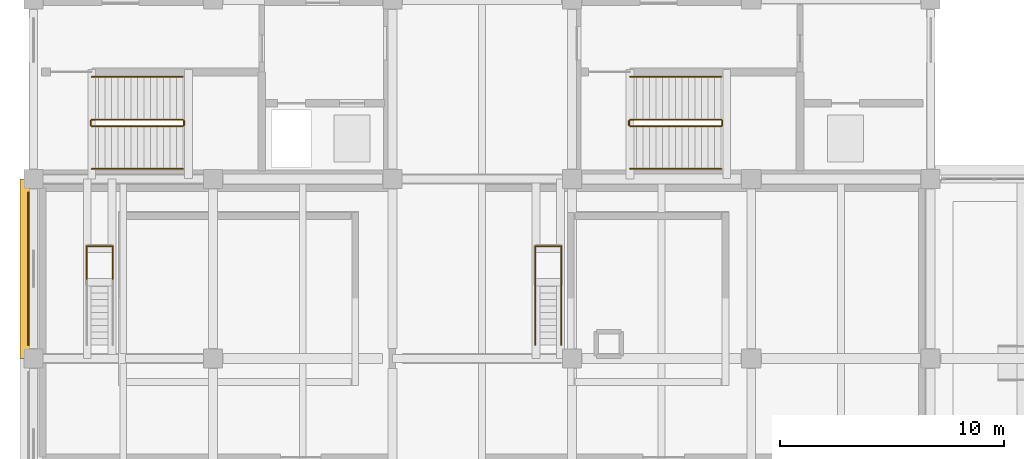
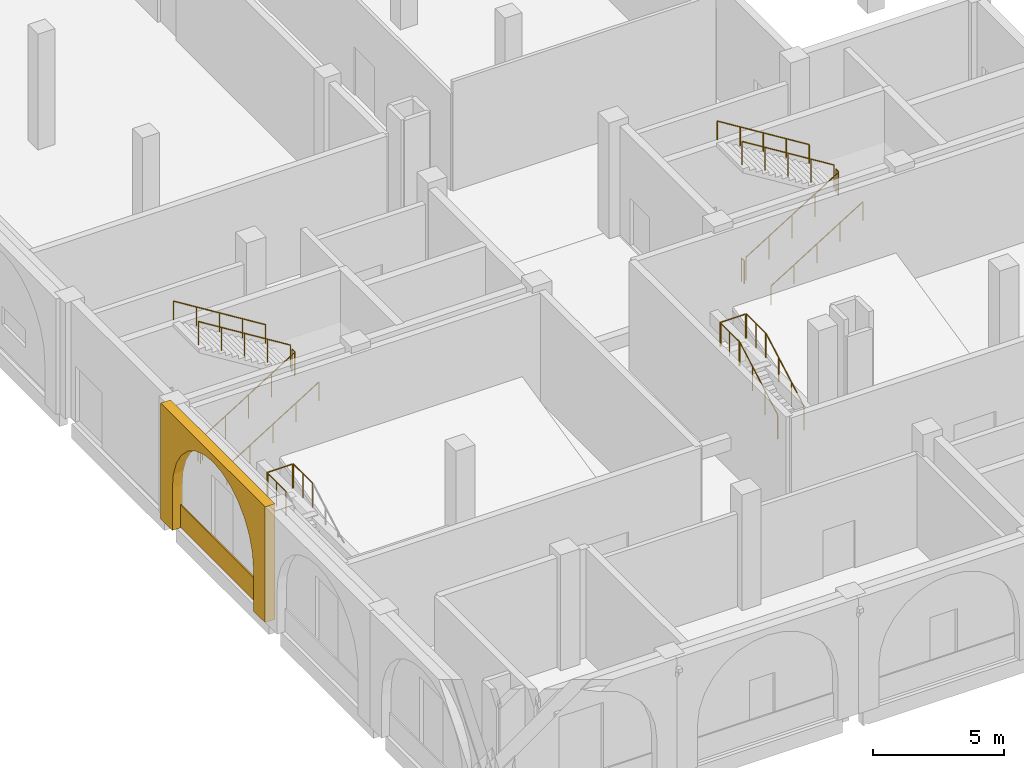
# One storey, part 31 of 40: 20 railings, 2 coverings.
"""IFC4 building model written with IfcOpenShell, lengths in metres."""

from ifc_helpers import new_model, si_unit, direction, frame, origin, origin_2d, place, context, subcontext, project, spatial, polyline, rectangle, circle, outline, extrude, material, layer, layer_set, type_object, element, save


model = new_model("IFC4")

# Units and contexts
model_context = context("Model", 3, precision=1e-05, world=origin(), true_north=direction((0.0, 1.0)))
body_context = subcontext(model_context, "Body", "Model", "MODEL_VIEW")
ifc_project = project(units=[si_unit("LENGTHUNIT", "METRE"), si_unit("AREAUNIT", "SQUARE_METRE"), si_unit("VOLUMEUNIT", "CUBIC_METRE"), si_unit("PLANEANGLEUNIT", "RADIAN"), si_unit("MASSUNIT", "GRAM", prefix="KILO")], contexts=[model_context])

# Site, building, storey
site_placement = place(None, origin())
site = spatial("IfcSite", under=ifc_project, at=site_placement, CompositionType="ELEMENT")
building_placement = place(site_placement, origin())
building = spatial("IfcBuilding", under=site, at=building_placement, Name="Qorikala Patio Media Centre", CompositionType="ELEMENT")
storey_placement = place(building_placement, origin())
storey = spatial("IfcBuildingStorey", under=building, at=storey_placement, Name="L00", CompositionType="ELEMENT", Elevation=0.0)

# Coverings
ifc_material_1 = material(Name="Comanche Granite Ashlar Stone", Category="masonry")
ifc_layer = layer(ifc_material_1, 0.06005859375)
ifc_layer_set = layer_set([ifc_layer], Name="Comanche Granite Ashlar Stone")
covering_type = type_object("IfcCoveringType", Name="COV-CLAD-STONE", PredefinedType="CLADDING", material=ifc_layer_set)
covering_1_placement = place(storey_placement, frame((2.780029296875, 23.0, 0.02490234375), z_axis=(0.0, 0.0, 1.0), x_axis=(0.0, 1.0, 0.0)))
element("IfcCovering", 1, at=covering_1_placement, inside=storey, type_object=covering_type, Name="L00 Comanche Granite Plinth Cladding 006", PredefinedType="CLADDING", context=body_context, shape_type="SweptSolid", body=[
    extrude(rectangle(XDim=6.800048828125, YDim=0.06005859375, at=origin_2d()), origin(), (0.0, 0.0, 1.0), 1.050048828125),
])
covering_2_placement = place(storey_placement, frame((2.6201171875, 19.0, 0.0), z_axis=(0.0, 0.0, 1.0), x_axis=(0.0, 1.0, 0.0)))
element("IfcCovering", 2, at=covering_2_placement, inside=storey, type_object=covering_type, Name="Spanish Colonial Stone Arched Arcade PORT-W3", PredefinedType="CLADDING", context=body_context, shape_type="SweptSolid", body=[
    extrude(outline(polyline([(0.0, 0.0), (0.89990234375, 0.0), (0.89990234375, 1.97998046875), (0.977783203125, 2.669677734375), (1.20703125, 3.324951171875), (1.576416015625, 3.91259765625), (2.067138671875, 4.403564453125), (2.655029296875, 4.77294921875), (3.310302734375, 5.002197265625), (4.0, 5.079833984375), (4.689697265625, 5.002197265625), (5.344970703125, 4.77294921875), (5.932861328125, 4.403564453125), (6.423583984375, 3.91259765625), (6.79296875, 3.324951171875), (7.022216796875, 2.669677734375), (7.10009765625, 1.97998046875), (7.10009765625, 0.0), (8.0, 0.0), (8.0, 5.39990234375), (0.0, 5.39990234375), (0.0, 0.0)])), frame((0.0, 0.219970703125, 0.0), z_axis=(0.0, -1.0, 0.0), x_axis=(1.0, 0.0, 0.0)), (0.0, 0.0, 1.0), 0.43994140625),
])

# Railings
ifc_material_2 = material(Name="Wrought Bronze and Steel S355", Category="steel")
railing_type_1 = type_object("IfcRailingType", Name="RL-GUARD-110", PredefinedType="GUARDRAIL", material=ifc_material_2)
railing_1_placement = place(storey_placement, frame((5.60009765625, 29.35009765625, 0.179931640625)))
element("IfcRailing", 3, at=railing_1_placement, inside=storey, type_object=railing_type_1, Name="L00 ST-2 stair guard 1", PredefinedType="GUARDRAIL", context=body_context, shape_type="SweptSolid", body=[
    extrude(circle(Radius=0.02392578125, at=origin_2d()), frame((0.0, 0.0, 1.076171875), z_axis=(0.849627535208, 0.0, 0.527383211162), x_axis=(0.0, 1.0, 0.0)), (0.0, 0.0, 1.0), 4.7783203125),
    extrude(circle(Radius=0.02099609375, at=origin_2d()), origin(), (0.0, 0.0, 1.0), 1.052001953125),
    extrude(circle(Radius=0.02099609375, at=origin_2d()), frame((1.014892578125, 0.0, 0.6298828125)), (0.0, 0.0, 1.0), 1.052001953125),
    extrude(circle(Radius=0.02099609375, at=origin_2d()), frame((2.02978515625, 0.0, 1.260009765625)), (0.0, 0.0, 1.0), 1.052001953125),
    extrude(circle(Radius=0.02099609375, at=origin_2d()), frame((3.044921875, 0.0, 1.89013671875)), (0.0, 0.0, 1.0), 1.052001953125),
    extrude(circle(Radius=0.02099609375, at=origin_2d()), frame((4.059814453125, 0.0, 2.52001953125)), (0.0, 0.0, 1.0), 1.052001953125),
])
railing_2_placement = place(storey_placement, frame((9.7099609375, 29.39990234375, 2.699951171875)))
element("IfcRailing", 4, at=railing_2_placement, inside=storey, type_object=railing_type_1, Name="L00 ST-2 stair guard 2", PredefinedType="GUARDRAIL", context=body_context, shape_type="SweptSolid", body=[
    extrude(circle(Radius=0.02392578125, at=origin_2d()), frame((0.0, 0.0, 1.076171875), z_axis=(0.0, 1.0, 0.0), x_axis=(-1.0, 0.0, 0.0)), (0.0, 0.0, 1.0), 0.2001953125),
    extrude(circle(Radius=0.02099609375, at=origin_2d()), origin(), (0.0, 0.0, 1.0), 1.052001953125),
    extrude(circle(Radius=0.02099609375, at=origin_2d()), frame((0.0, 0.2001953125, 0.0)), (0.0, 0.0, 1.0), 1.052001953125),
])
railing_3_placement = place(storey_placement, frame((9.659912109375, 29.64990234375, 2.8798828125)))
element("IfcRailing", 5, at=railing_3_placement, inside=storey, type_object=railing_type_1, Name="L00 ST-2 stair guard 3", PredefinedType="GUARDRAIL", context=body_context, shape_type="SweptSolid", body=[
    extrude(circle(Radius=0.02392578125, at=origin_2d()), frame((0.0, 0.0, 1.076171875), z_axis=(-0.849627535208, 0.0, 0.527383211162), x_axis=(0.0, -1.0, 0.0)), (0.0, 0.0, 1.0), 4.7783203125),
    extrude(circle(Radius=0.02099609375, at=origin_2d()), origin(), (0.0, 0.0, 1.0), 1.052001953125),
    extrude(circle(Radius=0.02099609375, at=origin_2d()), frame((-1.014892578125, 0.0, 0.6298828125)), (0.0, 0.0, 1.0), 1.052001953125),
    extrude(circle(Radius=0.02099609375, at=origin_2d()), frame((-2.02978515625, 0.0, 1.260009765625)), (0.0, 0.0, 1.0), 1.052001953125),
    extrude(circle(Radius=0.02099609375, at=origin_2d()), frame((-3.044921875, 0.0, 1.89013671875)), (0.0, 0.0, 1.0), 1.052001953125),
    extrude(circle(Radius=0.02099609375, at=origin_2d()), frame((-4.059814453125, 0.0, 2.52001953125)), (0.0, 0.0, 1.0), 1.052001953125),
])
railing_4_placement = place(storey_placement, frame((5.550048828125, 29.39990234375, 0.0)))
element("IfcRailing", 6, at=railing_4_placement, inside=storey, type_object=railing_type_1, Name="L00 ST-2 stair guard 4", PredefinedType="GUARDRAIL", context=body_context, shape_type="SweptSolid", body=[
    extrude(circle(Radius=0.02392578125, at=origin_2d()), frame((0.0, 0.0, 1.076171875), z_axis=(0.0, 1.0, 0.0), x_axis=(-1.0, 0.0, 0.0)), (0.0, 0.0, 1.0), 0.2001953125),
    extrude(circle(Radius=0.02099609375, at=origin_2d()), origin(), (0.0, 0.0, 1.0), 1.052001953125),
    extrude(circle(Radius=0.02099609375, at=origin_2d()), frame((0.0, 0.2001953125, 0.0)), (0.0, 0.0, 1.0), 1.052001953125),
])
railing_5_placement = place(storey_placement, frame((29.60009765625, 29.35009765625, 0.179931640625)))
element("IfcRailing", 7, at=railing_5_placement, inside=storey, type_object=railing_type_1, Name="L00 ST-5 stair guard 1", PredefinedType="GUARDRAIL", context=body_context, shape_type="SweptSolid", body=[
    extrude(circle(Radius=0.02392578125, at=origin_2d()), frame((0.0, 0.0, 1.076171875), z_axis=(0.849627535208, 0.0, 0.527383211162), x_axis=(0.0, 1.0, 0.0)), (0.0, 0.0, 1.0), 4.7783203125),
    extrude(circle(Radius=0.02099609375, at=origin_2d()), origin(), (0.0, 0.0, 1.0), 1.052001953125),
    extrude(circle(Radius=0.02099609375, at=origin_2d()), frame((1.014892578125, 0.0, 0.6298828125)), (0.0, 0.0, 1.0), 1.052001953125),
    extrude(circle(Radius=0.02099609375, at=origin_2d()), frame((2.02978515625, 0.0, 1.260009765625)), (0.0, 0.0, 1.0), 1.052001953125),
    extrude(circle(Radius=0.02099609375, at=origin_2d()), frame((3.044921875, 0.0, 1.89013671875)), (0.0, 0.0, 1.0), 1.052001953125),
    extrude(circle(Radius=0.02099609375, at=origin_2d()), frame((4.059814453125, 0.0, 2.52001953125)), (0.0, 0.0, 1.0), 1.052001953125),
])
railing_6_placement = place(storey_placement, frame((33.7099609375, 29.39990234375, 2.699951171875)))
element("IfcRailing", 8, at=railing_6_placement, inside=storey, type_object=railing_type_1, Name="L00 ST-5 stair guard 2", PredefinedType="GUARDRAIL", context=body_context, shape_type="SweptSolid", body=[
    extrude(circle(Radius=0.02392578125, at=origin_2d()), frame((0.0, 0.0, 1.076171875), z_axis=(0.0, 1.0, 0.0), x_axis=(-1.0, 0.0, 0.0)), (0.0, 0.0, 1.0), 0.2001953125),
    extrude(circle(Radius=0.02099609375, at=origin_2d()), origin(), (0.0, 0.0, 1.0), 1.052001953125),
    extrude(circle(Radius=0.02099609375, at=origin_2d()), frame((0.0, 0.2001953125, 0.0)), (0.0, 0.0, 1.0), 1.052001953125),
])
railing_7_placement = place(storey_placement, frame((33.659912109375, 29.64990234375, 2.8798828125)))
element("IfcRailing", 9, at=railing_7_placement, inside=storey, type_object=railing_type_1, Name="L00 ST-5 stair guard 3", PredefinedType="GUARDRAIL", context=body_context, shape_type="SweptSolid", body=[
    extrude(circle(Radius=0.02392578125, at=origin_2d()), frame((0.0, 0.0, 1.076171875), z_axis=(-0.849627535208, 0.0, 0.527383211162), x_axis=(0.0, -1.0, 0.0)), (0.0, 0.0, 1.0), 4.7783203125),
    extrude(circle(Radius=0.02099609375, at=origin_2d()), origin(), (0.0, 0.0, 1.0), 1.052001953125),
    extrude(circle(Radius=0.02099609375, at=origin_2d()), frame((-1.014892578125, 0.0, 0.6298828125)), (0.0, 0.0, 1.0), 1.052001953125),
    extrude(circle(Radius=0.02099609375, at=origin_2d()), frame((-2.02978515625, 0.0, 1.260009765625)), (0.0, 0.0, 1.0), 1.052001953125),
    extrude(circle(Radius=0.02099609375, at=origin_2d()), frame((-3.044921875, 0.0, 1.89013671875)), (0.0, 0.0, 1.0), 1.052001953125),
    extrude(circle(Radius=0.02099609375, at=origin_2d()), frame((-4.059814453125, 0.0, 2.52001953125)), (0.0, 0.0, 1.0), 1.052001953125),
])
railing_8_placement = place(storey_placement, frame((29.550048828125, 29.39990234375, 0.0)))
element("IfcRailing", 10, at=railing_8_placement, inside=storey, type_object=railing_type_1, Name="L00 ST-5 stair guard 4", PredefinedType="GUARDRAIL", context=body_context, shape_type="SweptSolid", body=[
    extrude(circle(Radius=0.02392578125, at=origin_2d()), frame((0.0, 0.0, 1.076171875), z_axis=(0.0, 1.0, 0.0), x_axis=(-1.0, 0.0, 0.0)), (0.0, 0.0, 1.0), 0.2001953125),
    extrude(circle(Radius=0.02099609375, at=origin_2d()), origin(), (0.0, 0.0, 1.0), 1.052001953125),
    extrude(circle(Radius=0.02099609375, at=origin_2d()), frame((0.0, 0.2001953125, 0.0)), (0.0, 0.0, 1.0), 1.052001953125),
])
ifc_material_3 = material(Name="Brushed Bronze Tubular Steel S355", Category="steel")
railing_type_2 = type_object("IfcRailingType", Name="RL-HAND-090", PredefinedType="HANDRAIL", material=ifc_material_3)
railing_9_placement = place(storey_placement, frame((5.60009765625, 27.449951171875, 0.179931640625)))
element("IfcRailing", 11, at=railing_9_placement, inside=storey, type_object=railing_type_2, Name="L00 ST-2 stair handrail 1", PredefinedType="HANDRAIL", context=body_context, shape_type="SweptSolid", body=[
    extrude(circle(Radius=0.02392578125, at=origin_2d()), frame((0.0, 0.0, 0.8759765625), z_axis=(0.849627535208, 0.0, 0.527383211162), x_axis=(0.0, 1.0, 0.0)), (0.0, 0.0, 1.0), 4.7783203125),
    extrude(circle(Radius=0.02099609375, at=origin_2d()), origin(), (0.0, 0.0, 1.0), 0.851806640625),
    extrude(circle(Radius=0.02099609375, at=origin_2d()), frame((1.014892578125, 0.0, 0.6298828125)), (0.0, 0.0, 1.0), 0.851806640625),
    extrude(circle(Radius=0.02099609375, at=origin_2d()), frame((2.02978515625, 0.0, 1.260009765625)), (0.0, 0.0, 1.0), 0.851806640625),
    extrude(circle(Radius=0.02099609375, at=origin_2d()), frame((3.044921875, 0.0, 1.89013671875)), (0.0, 0.0, 1.0), 0.851806640625),
    extrude(circle(Radius=0.02099609375, at=origin_2d()), frame((4.059814453125, 0.0, 2.52001953125)), (0.0, 0.0, 1.0), 0.851806640625),
])
railing_10_placement = place(storey_placement, frame((9.659912109375, 31.550048828125, 2.8798828125)))
element("IfcRailing", 12, at=railing_10_placement, inside=storey, type_object=railing_type_2, Name="L00 ST-2 stair handrail 2", PredefinedType="HANDRAIL", context=body_context, shape_type="SweptSolid", body=[
    extrude(circle(Radius=0.02392578125, at=origin_2d()), frame((0.0, 0.0, 0.8759765625), z_axis=(-0.849627535208, 0.0, 0.527383211162), x_axis=(0.0, -1.0, 0.0)), (0.0, 0.0, 1.0), 4.7783203125),
    extrude(circle(Radius=0.02099609375, at=origin_2d()), origin(), (0.0, 0.0, 1.0), 0.851806640625),
    extrude(circle(Radius=0.02099609375, at=origin_2d()), frame((-1.014892578125, 0.0, 0.6298828125)), (0.0, 0.0, 1.0), 0.851806640625),
    extrude(circle(Radius=0.02099609375, at=origin_2d()), frame((-2.02978515625, 0.0, 1.260009765625)), (0.0, 0.0, 1.0), 0.851806640625),
    extrude(circle(Radius=0.02099609375, at=origin_2d()), frame((-3.044921875, 0.0, 1.89013671875)), (0.0, 0.0, 1.0), 0.851806640625),
    extrude(circle(Radius=0.02099609375, at=origin_2d()), frame((-4.059814453125, 0.0, 2.52001953125)), (0.0, 0.0, 1.0), 0.851806640625),
])
railing_11_placement = place(storey_placement, frame((29.60009765625, 27.449951171875, 0.179931640625)))
element("IfcRailing", 13, at=railing_11_placement, inside=storey, type_object=railing_type_2, Name="L00 ST-5 stair handrail 1", PredefinedType="HANDRAIL", context=body_context, shape_type="SweptSolid", body=[
    extrude(circle(Radius=0.02392578125, at=origin_2d()), frame((0.0, 0.0, 0.8759765625), z_axis=(0.849627535208, 0.0, 0.527383211162), x_axis=(0.0, 1.0, 0.0)), (0.0, 0.0, 1.0), 4.7783203125),
    extrude(circle(Radius=0.02099609375, at=origin_2d()), origin(), (0.0, 0.0, 1.0), 0.851806640625),
    extrude(circle(Radius=0.02099609375, at=origin_2d()), frame((1.014892578125, 0.0, 0.6298828125)), (0.0, 0.0, 1.0), 0.851806640625),
    extrude(circle(Radius=0.02099609375, at=origin_2d()), frame((2.02978515625, 0.0, 1.260009765625)), (0.0, 0.0, 1.0), 0.851806640625),
    extrude(circle(Radius=0.02099609375, at=origin_2d()), frame((3.044921875, 0.0, 1.89013671875)), (0.0, 0.0, 1.0), 0.851806640625),
    extrude(circle(Radius=0.02099609375, at=origin_2d()), frame((4.059814453125, 0.0, 2.52001953125)), (0.0, 0.0, 1.0), 0.851806640625),
])
railing_12_placement = place(storey_placement, frame((33.659912109375, 31.550048828125, 2.8798828125)))
element("IfcRailing", 14, at=railing_12_placement, inside=storey, type_object=railing_type_2, Name="L00 ST-5 stair handrail 2", PredefinedType="HANDRAIL", context=body_context, shape_type="SweptSolid", body=[
    extrude(circle(Radius=0.02392578125, at=origin_2d()), frame((0.0, 0.0, 0.8759765625), z_axis=(-0.849627535208, 0.0, 0.527383211162), x_axis=(0.0, -1.0, 0.0)), (0.0, 0.0, 1.0), 4.7783203125),
    extrude(circle(Radius=0.02099609375, at=origin_2d()), origin(), (0.0, 0.0, 1.0), 0.851806640625),
    extrude(circle(Radius=0.02099609375, at=origin_2d()), frame((-1.014892578125, 0.0, 0.6298828125)), (0.0, 0.0, 1.0), 0.851806640625),
    extrude(circle(Radius=0.02099609375, at=origin_2d()), frame((-2.02978515625, 0.0, 1.260009765625)), (0.0, 0.0, 1.0), 0.851806640625),
    extrude(circle(Radius=0.02099609375, at=origin_2d()), frame((-3.044921875, 0.0, 1.89013671875)), (0.0, 0.0, 1.0), 0.851806640625),
    extrude(circle(Radius=0.02099609375, at=origin_2d()), frame((-4.059814453125, 0.0, 2.52001953125)), (0.0, 0.0, 1.0), 0.851806640625),
])
ifc_material_4 = material(Name="Wrought Bronze Baluster Guardrail")
railing_type_3 = type_object("IfcRailingType", Name="RL-TERR-115", PredefinedType="GUARDRAIL", material=ifc_material_4)
railing_13_placement = place(storey_placement, frame((5.3701171875, 22.5400390625, 1.800048828125)))
element("IfcRailing", 15, at=railing_13_placement, inside=storey, type_object=railing_type_3, Name="Vomitory VS-01 Landing Guard W", PredefinedType="GUARDRAIL", context=body_context, shape_type="SweptSolid", body=[
    extrude(circle(Radius=0.02392578125, at=origin_2d()), frame((0.0, 0.0, 1.1259765625), z_axis=(0.0, 1.0, 0.0), x_axis=(-1.0, 0.0, 0.0)), (0.0, 0.0, 1.0), 1.469970703125),
    extrude(circle(Radius=0.02099609375, at=origin_2d()), origin(), (0.0, 0.0, 1.0), 1.101806640625),
    extrude(circle(Radius=0.02099609375, at=origin_2d()), frame((0.0, 0.73486328125, 0.0)), (0.0, 0.0, 1.0), 1.101806640625),
    extrude(circle(Radius=0.02099609375, at=origin_2d()), frame((0.0, 1.469970703125, 0.0)), (0.0, 0.0, 1.0), 1.101806640625),
])
railing_14_placement = place(storey_placement, frame((5.409912109375, 24.010009765625, 1.800048828125)))
element("IfcRailing", 16, at=railing_14_placement, inside=storey, type_object=railing_type_3, Name="Vomitory VS-01 Landing Guard N", PredefinedType="GUARDRAIL", context=body_context, shape_type="SweptSolid", body=[
    extrude(circle(Radius=0.02392578125, at=origin_2d()), frame((0.0, 0.0, 1.1259765625), z_axis=(1.0, 0.0, 0.0), x_axis=(0.0, 1.0, 0.0)), (0.0, 0.0, 1.0), 1.080078125),
    extrude(circle(Radius=0.02099609375, at=origin_2d()), origin(), (0.0, 0.0, 1.0), 1.101806640625),
    extrude(circle(Radius=0.02099609375, at=origin_2d()), frame((1.080078125, 0.0, 0.0)), (0.0, 0.0, 1.0), 1.101806640625),
])
railing_15_placement = place(storey_placement, frame((6.530029296875, 24.010009765625, 1.800048828125)))
element("IfcRailing", 17, at=railing_15_placement, inside=storey, type_object=railing_type_3, Name="Vomitory VS-01 Landing Guard E", PredefinedType="GUARDRAIL", context=body_context, shape_type="SweptSolid", body=[
    extrude(circle(Radius=0.02392578125, at=origin_2d()), frame((0.0, 0.0, 1.1259765625), z_axis=(0.0, -1.0, 0.0), x_axis=(1.0, 0.0, 0.0)), (0.0, 0.0, 1.0), 1.469970703125),
    extrude(circle(Radius=0.02099609375, at=origin_2d()), origin(), (0.0, 0.0, 1.0), 1.101806640625),
    extrude(circle(Radius=0.02099609375, at=origin_2d()), frame((0.0, -0.73486328125, 0.0)), (0.0, 0.0, 1.0), 1.101806640625),
    extrude(circle(Radius=0.02099609375, at=origin_2d()), frame((0.0, -1.469970703125, 0.0)), (0.0, 0.0, 1.0), 1.101806640625),
])
for number, where, name in (
    (18, (25.3701171875, 19.60009765625, 0.16357421875), "Vomitory Stair VS-02 Flight Guard L"),
    (19, (26.530029296875, 19.60009765625, 0.16357421875), "Vomitory Stair VS-02 Flight Guard R"),
):
    element("IfcRailing", number, at=place(storey_placement, frame(where)), inside=storey, type_object=railing_type_3, Name=name, PredefinedType="GUARDRAIL", context=body_context, shape_type="SweptSolid", body=[
        extrude(circle(Radius=0.02392578125, at=origin_2d()), frame((0.0, 0.0, 1.1259765625), z_axis=(0.0, 0.870897200241, 0.491465224214), x_axis=(-1.0, 0.0, 0.0)), (0.0, 0.0, 1.0), 3.329833984375),
        extrude(circle(Radius=0.02099609375, at=origin_2d()), origin(), (0.0, 0.0, 1.0), 1.101806640625),
        extrude(circle(Radius=0.02099609375, at=origin_2d()), frame((0.0, 0.966552734375, 0.54541015625)), (0.0, 0.0, 1.0), 1.101806640625),
        extrude(circle(Radius=0.02099609375, at=origin_2d()), frame((0.0, 1.933349609375, 1.091064453125)), (0.0, 0.0, 1.0), 1.101806640625),
        extrude(circle(Radius=0.02099609375, at=origin_2d()), frame((0.0, 2.89990234375, 1.636474609375)), (0.0, 0.0, 1.0), 1.101806640625),
    ])
railing_16_placement = place(storey_placement, frame((25.3701171875, 22.5400390625, 1.800048828125)))
element("IfcRailing", 20, at=railing_16_placement, inside=storey, type_object=railing_type_3, Name="Vomitory VS-02 Landing Guard W", PredefinedType="GUARDRAIL", context=body_context, shape_type="SweptSolid", body=[
    extrude(circle(Radius=0.02392578125, at=origin_2d()), frame((0.0, 0.0, 1.1259765625), z_axis=(0.0, 1.0, 0.0), x_axis=(-1.0, 0.0, 0.0)), (0.0, 0.0, 1.0), 1.469970703125),
    extrude(circle(Radius=0.02099609375, at=origin_2d()), origin(), (0.0, 0.0, 1.0), 1.101806640625),
    extrude(circle(Radius=0.02099609375, at=origin_2d()), frame((0.0, 0.73486328125, 0.0)), (0.0, 0.0, 1.0), 1.101806640625),
    extrude(circle(Radius=0.02099609375, at=origin_2d()), frame((0.0, 1.469970703125, 0.0)), (0.0, 0.0, 1.0), 1.101806640625),
])
railing_17_placement = place(storey_placement, frame((25.409912109375, 24.010009765625, 1.800048828125)))
element("IfcRailing", 21, at=railing_17_placement, inside=storey, type_object=railing_type_3, Name="Vomitory VS-02 Landing Guard N", PredefinedType="GUARDRAIL", context=body_context, shape_type="SweptSolid", body=[
    extrude(circle(Radius=0.02392578125, at=origin_2d()), frame((0.0, 0.0, 1.1259765625), z_axis=(1.0, 0.0, 0.0), x_axis=(0.0, 1.0, 0.0)), (0.0, 0.0, 1.0), 1.080078125),
    extrude(circle(Radius=0.02099609375, at=origin_2d()), origin(), (0.0, 0.0, 1.0), 1.101806640625),
    extrude(circle(Radius=0.02099609375, at=origin_2d()), frame((1.080078125, 0.0, 0.0)), (0.0, 0.0, 1.0), 1.101806640625),
])
railing_18_placement = place(storey_placement, frame((26.530029296875, 24.010009765625, 1.800048828125)))
element("IfcRailing", 22, at=railing_18_placement, inside=storey, type_object=railing_type_3, Name="Vomitory VS-02 Landing Guard E", PredefinedType="GUARDRAIL", context=body_context, shape_type="SweptSolid", body=[
    extrude(circle(Radius=0.02392578125, at=origin_2d()), frame((0.0, 0.0, 1.1259765625), z_axis=(0.0, -1.0, 0.0), x_axis=(1.0, 0.0, 0.0)), (0.0, 0.0, 1.0), 1.469970703125),
    extrude(circle(Radius=0.02099609375, at=origin_2d()), origin(), (0.0, 0.0, 1.0), 1.101806640625),
    extrude(circle(Radius=0.02099609375, at=origin_2d()), frame((0.0, -0.73486328125, 0.0)), (0.0, 0.0, 1.0), 1.101806640625),
    extrude(circle(Radius=0.02099609375, at=origin_2d()), frame((0.0, -1.469970703125, 0.0)), (0.0, 0.0, 1.0), 1.101806640625),
])

save(model, "model.ifc")
